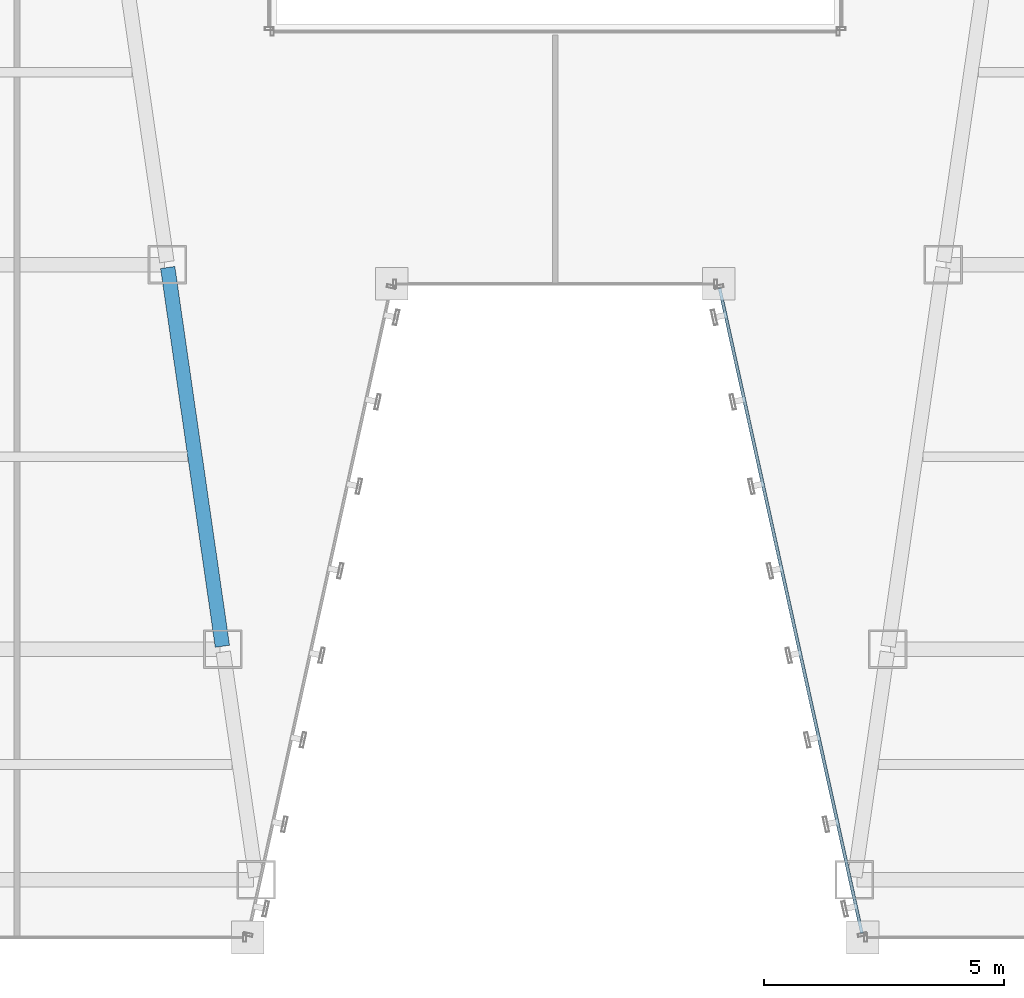
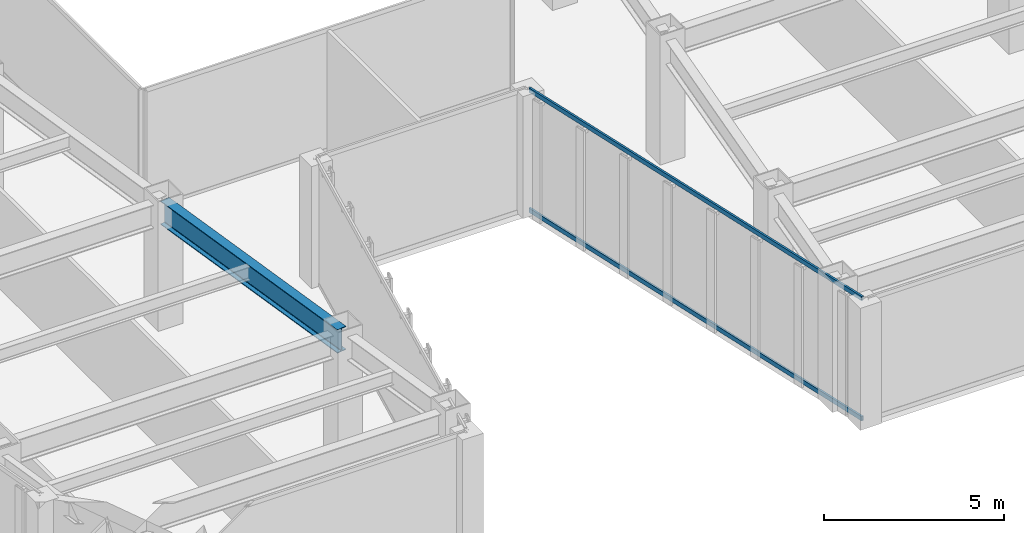
# One storey, part 8 of 47: 2 members, 1 beam, 1 element without a shape of its own.
"""IFC4 building model written with IfcOpenShell, lengths in metres."""

from ifc_helpers import new_model, si_unit, direction, frame, origin, origin_2d, place, context, subcontext, project, spatial, hollow_rectangle, i_section, extrude, material, material_profile, profile_set, type_object, element, aggregate, save


model = new_model("IFC4")

# Units and contexts
model_context = context("Model", 3, precision=1e-05, world=origin(), true_north=direction((0.0, 1.0)))
body_context = subcontext(model_context, "Body", "Model", "MODEL_VIEW")
ifc_project = project(units=[si_unit("LENGTHUNIT", "METRE"), si_unit("AREAUNIT", "SQUARE_METRE"), si_unit("VOLUMEUNIT", "CUBIC_METRE"), si_unit("PLANEANGLEUNIT", "RADIAN"), si_unit("MASSUNIT", "GRAM", prefix="KILO")], contexts=[model_context])

# Site, building, storey
site_placement = place(None, origin())
site = spatial("IfcSite", under=ifc_project, at=site_placement, CompositionType="ELEMENT")
building_placement = place(site_placement, origin())
building = spatial("IfcBuilding", under=site, at=building_placement, Name="Saevonmaru Cultural Tower", CompositionType="ELEMENT")
storey_placement = place(building_placement, frame((0.0, 0.0, 51.60009765625)))
storey = spatial("IfcBuildingStorey", under=building, at=storey_placement, Name="L10", CompositionType="ELEMENT", Elevation=51.60009765625)

# Beam
ifc_material_1 = material(Name="Steel SM420", Category="steel")
ifc_material_profile_1 = material_profile(ifc_material_1, i_section(OverallWidth=0.300048828125, OverallDepth=0.800048828125, WebThickness=0.013916015625, FlangeThickness=0.02587890625, FilletRadius=0.028076171875, at=origin_2d()), Name="H-800x300x14x26")
ifc_profile_set_1 = profile_set([ifc_material_profile_1], Name="Steel SM420")
beam_type = type_object("IfcBeamType", Name="BM-G-H800", PredefinedType="BEAM", material=ifc_profile_set_1)
beam_placement = place(storey_placement, frame((23.074462890625, 8.059326171875, 3.75), z_axis=(-0.142902032203, 0.989736838353, 0.0), x_axis=(-0.989736838353, -0.142902032203, 0.0)))
element("IfcBeam", 1, at=beam_placement, inside=storey, type_object=beam_type, Name="L10 West Atrium Girder 2", PredefinedType="BEAM", context=body_context, shape_type="SweptSolid", body=[
    extrude(i_section(OverallWidth=0.300048828125, OverallDepth=0.800048828125, WebThickness=0.013916015625, FlangeThickness=0.02587890625, FilletRadius=0.028076171875, at=origin_2d()), origin(), (0.0, 0.0, 1.0), 7.963134765625),
])

# Curtain wall, members
ifc_material_2 = material(Name="Satin Bronze Anodised Aluminium", Category="aluminium")
curtain_wall_type = type_object("IfcCurtainWallType", Name="CW-TYP-A", PredefinedType="NOTDEFINED", material=ifc_material_2)
curtain_wall_placement = place(storey_placement, origin())
curtain_wall = element("IfcCurtainWall", 2, at=curtain_wall_placement, inside=storey, type_object=curtain_wall_type, Name="L10 Unitised Curtain Wall E5", PredefinedType="NOTDEFINED")
ifc_material_profile_2 = material_profile(ifc_material_2, hollow_rectangle(XDim=0.06494140625, YDim=0.14990234375, WallThickness=0.00390625, at=origin_2d()), Name="ALU-TRAN-150x65x4")
ifc_profile_set_2 = profile_set([ifc_material_profile_2], Name="Satin Bronze Anodised Aluminium")
member_type = type_object("IfcMemberType", Name="TR-CW-150x65", PredefinedType="USERDEFINED", material=ifc_profile_set_2)
member_1_placement = place(storey_placement, frame((33.419921875, 15.509765625, 0.032470703125), z_axis=(0.21541214732, -0.976523223885, 0.0), x_axis=(0.976523223885, 0.21541214732, 0.0)))
member_1 = element("IfcMember", 3, at=member_1_placement, type_object=member_type, Name="CW-TW-L10-E5 transom 1.1", ObjectType="TRANSOM", PredefinedType="USERDEFINED", context=body_context, shape_type="SweptSolid", body=[
    extrude(hollow_rectangle(XDim=0.06494140625, YDim=0.14990234375, WallThickness=0.00390625, at=origin_2d()), origin(), (0.0, 0.0, 1.0), 13.741943359375),
])
member_2_placement = place(storey_placement, frame((33.419921875, 15.509765625, 4.117431640625), z_axis=(0.21541214732, -0.976523223885, 0.0), x_axis=(0.976523223885, 0.21541214732, 0.0)))
member_2 = element("IfcMember", 4, at=member_2_placement, type_object=member_type, Name="CW-TW-L10-E5 transom 1.2", ObjectType="TRANSOM", PredefinedType="USERDEFINED", context=body_context, shape_type="SweptSolid", body=[
    extrude(hollow_rectangle(XDim=0.06494140625, YDim=0.14990234375, WallThickness=0.00390625, at=origin_2d()), origin(), (0.0, 0.0, 1.0), 13.741943359375),
])
aggregate(curtain_wall, [member_1, member_2])

save(model, "model.ifc")
